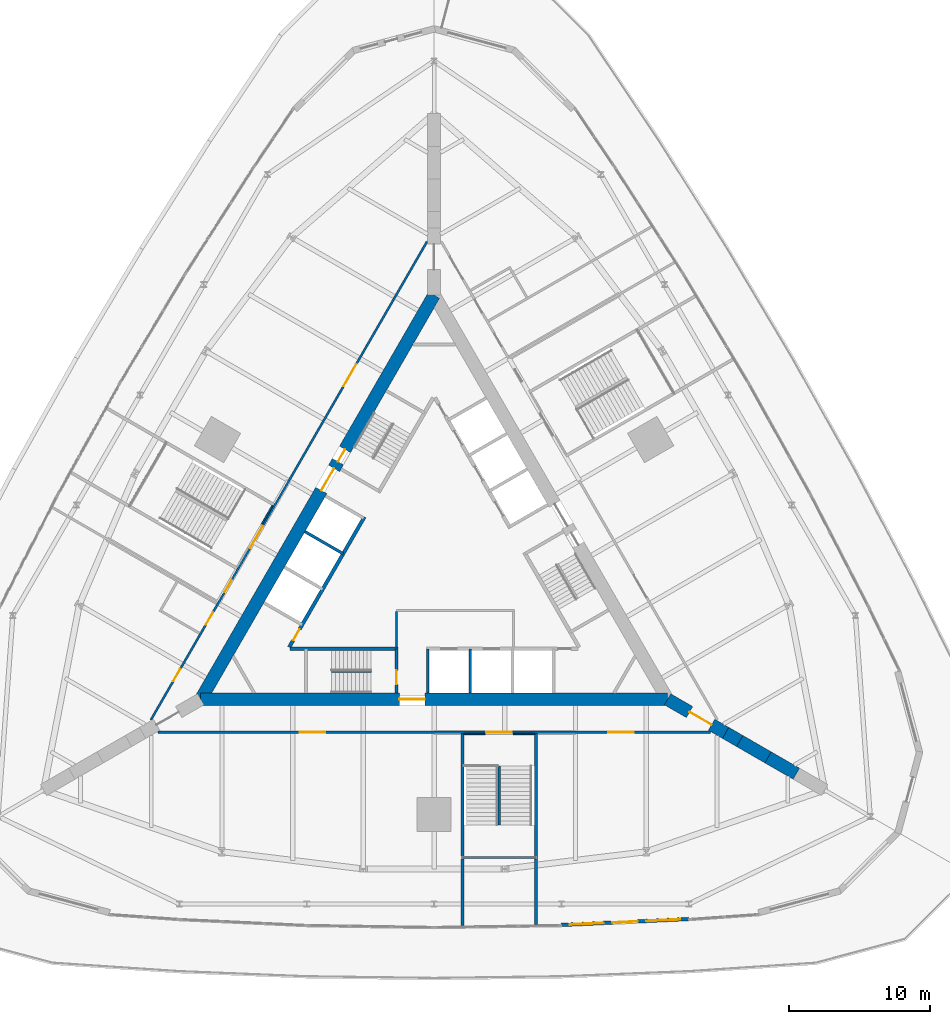
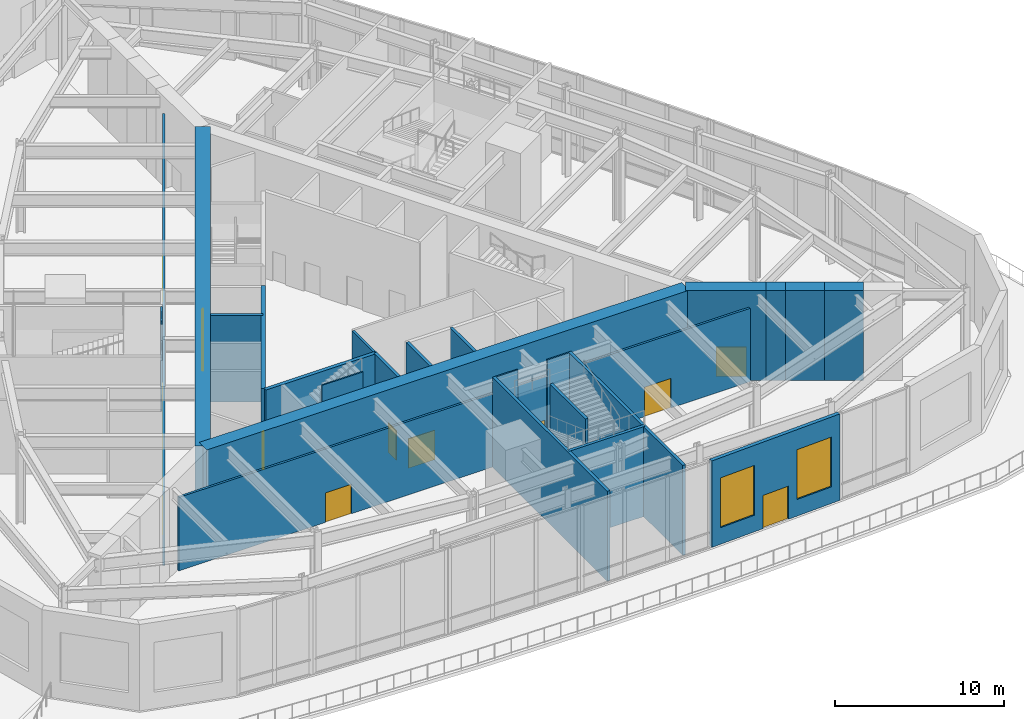
# One storey, part 12 of 19: 24 walls, 15 doors, 2 windows, 17 openings.
"""IFC4 building model written with IfcOpenShell, lengths in metres."""

from ifc_helpers import new_model, si_unit, direction, frame, frame_2d, origin, place, context, subcontext, project, spatial, rectangle, extrude, material, layer, layer_set, type_object, element, fill, save


model = new_model("IFC4")

# Units and contexts
model_context = context("Model", 3, precision=1e-05, world=origin(), true_north=direction((0.0, 1.0)))
body_context = subcontext(model_context, "Body", "Model", "MODEL_VIEW")
ifc_project = project(units=[si_unit("LENGTHUNIT", "METRE"), si_unit("AREAUNIT", "SQUARE_METRE"), si_unit("VOLUMEUNIT", "CUBIC_METRE"), si_unit("PLANEANGLEUNIT", "RADIAN"), si_unit("MASSUNIT", "GRAM", prefix="KILO")], contexts=[model_context])

# Site, building, storey
site_placement = place(None, origin())
site = spatial("IfcSite", under=ifc_project, at=site_placement, CompositionType="ELEMENT")
building_placement = place(site_placement, origin())
building = spatial("IfcBuilding", under=site, at=building_placement, Name="Trikona Tower", CompositionType="ELEMENT")
storey_placement = place(building_placement, frame((0.0, 0.0, 11.0)))
storey = spatial("IfcBuildingStorey", under=building, at=storey_placement, Name="L02", CompositionType="ELEMENT", Elevation=11.0)

# Wall, opening, door
ifc_material_1 = material(Name="Concrete f'c 10000 psi", Category="concrete")
ifc_layer_1 = layer(ifc_material_1, 0.89990234375)
ifc_layer_set_1 = layer_set([ifc_layer_1], Name="Buttress wall 900")
wall_type_1 = type_object("IfcWallType", Name="Buttress wall 900", PredefinedType="SHEAR", material=ifc_layer_set_1)
wall_1_placement = place(storey_placement, frame((16.5, -9.5263671875, 0.0), z_axis=(0.0, 0.0, 1.0), x_axis=(0.866031398331, -0.499989616998, 0.0)))
wall_1 = element("IfcWall", 1, at=wall_1_placement, inside=storey, type_object=wall_type_1, Name="Buttress wall 1", PredefinedType="SHEAR", context=body_context, shape_type="SweptSolid", body=[
    extrude(rectangle(XDim=4.74609375, YDim=0.89990234375, at=frame_2d((2.373046875, 0.0))), origin(), (0.0, 0.0, 1.0), 6.5),
])
opening_1_placement = place(wall_1_placement, frame((1.800048828125, 0.0, 0.0)))
opening_1 = element("IfcOpeningElement", 2, at=opening_1_placement, cuts=wall_1, Name="Opening D10", PredefinedType="OPENING", context=body_context, shape_type="SweptSolid", body=[
    extrude(rectangle(XDim=1.800048828125, YDim=2.1298828125, at=frame_2d((0.89990234375, 1.06494140625))), frame((0.0, 0.4599609375, 0.0), z_axis=(0.0, -1.0, 0.0), x_axis=(1.0, 0.0, 0.0)), (0.0, 0.0, 1.0), 0.919921875),
])
ifc_material_2 = material(Name="Hollow metal door and frame", Category="steel")
door_type_1 = type_object("IfcDoorType", Name="Cross-corridor door pair 1800x2130", OperationType="DOUBLE_DOOR_DOUBLE_SWING", PredefinedType="DOOR", material=ifc_material_2)
door_1_placement = place(opening_1_placement, origin())
door_1 = element("IfcDoor", 3, at=door_1_placement, inside=storey, type_object=door_type_1, Name="Cross-corridor door 1", OperationType="DOUBLE_DOOR_DOUBLE_SWING", OverallHeight=2.1298828125, OverallWidth=1.800048828125, PredefinedType="DOOR", context=body_context, shape_type="SweptSolid", body=[
    extrude(rectangle(XDim=1.800048828125, YDim=2.1298828125, at=frame_2d((0.89990234375, 1.06494140625))), frame((0.0, 0.02490234375, 0.0), z_axis=(0.0, -1.0, 0.0), x_axis=(1.0, 0.0, 0.0)), (0.0, 0.0, 1.0), 0.050048828125),
])
fill(opening_1, door_1)

# Walls
wall_2_placement = place(storey_placement, frame((20.6103515625, -11.8994140625, 0.0), z_axis=(0.0, 0.0, 1.0), x_axis=(0.866009537788, -0.500027479704, 0.0)))
element("IfcWall", 4, at=wall_2_placement, inside=storey, type_object=wall_type_1, Name="Buttress wall 1 part 2", PredefinedType="SHEAR", context=body_context, shape_type="SweptSolid", body=[
    extrude(rectangle(XDim=1.15478515625, YDim=0.89990234375, at=frame_2d((0.577392578125, 0.0))), origin(), (0.0, 0.0, 1.0), 6.5),
])
for number, where, z_axis, x_axis, name in (
    (5, (21.6103515625, -12.476806640625, 0.0), (0.0, 0.0, 1.0), (0.866055313784, -0.499948190782, 0.0), "Buttress wall 1 part 3"),
    (6, (23.6103515625, -13.63134765625, 0.0), (0.0, 0.0, 1.0), (0.866009537788, -0.500027479704, 0.0), "Buttress wall 1 part 4"),
):
    element("IfcWall", number, at=place(storey_placement, frame(where, z_axis=z_axis, x_axis=x_axis)), inside=storey, type_object=wall_type_1, Name=name, PredefinedType="SHEAR", context=body_context, shape_type="SweptSolid", body=[
        extrude(rectangle(XDim=2.309326171875, YDim=0.89990234375, at=frame_2d((1.15478515625, 0.0))), origin(), (0.0, 0.0, 1.0), 6.5),
    ])

# Wall, opening, door
ifc_material_3 = material(Name="Concrete f'c 10000 psi", Category="concrete")
ifc_layer_2 = layer(ifc_material_3, 0.89990234375)
ifc_layer_set_2 = layer_set([ifc_layer_2], Name="Core wall 900")
wall_type_2 = type_object("IfcWallType", Name="Core wall 900", PredefinedType="SHEAR", material=ifc_layer_set_2)
wall_3_placement = place(storey_placement, frame((-16.5, -9.5263671875, 0.0), z_axis=(0.0, 0.0, 1.0), x_axis=(1.0, 0.0, 0.0)))
wall_3 = element("IfcWall", 7, at=wall_3_placement, inside=storey, type_object=wall_type_2, Name="Core wall A", PredefinedType="SHEAR", context=body_context, shape_type="SweptSolid", body=[
    extrude(rectangle(XDim=33.0, YDim=0.89990234375, at=frame_2d((16.5, 0.0))), origin(), (0.0, 0.0, 1.0), 6.5),
])
opening_2_placement = place(wall_3_placement, frame((14.050048828125, 0.0, 0.0)))
opening_2 = element("IfcOpeningElement", 8, at=opening_2_placement, cuts=wall_3, Name="Opening D6", PredefinedType="OPENING", context=body_context, shape_type="SweptSolid", body=[
    extrude(rectangle(XDim=1.800048828125, YDim=2.1298828125, at=frame_2d((0.89990234375, 1.06494140625))), frame((0.0, 0.4599609375, 0.0), z_axis=(0.0, -1.0, 0.0), x_axis=(1.0, 0.0, 0.0)), (0.0, 0.0, 1.0), 0.919921875),
])
ifc_material_4 = material(Name="Hollow metal door and frame", Category="steel")
door_type_2 = type_object("IfcDoorType", Name="Lobby door pair 1800x2130", OperationType="DOUBLE_DOOR_SINGLE_SWING", PredefinedType="DOOR", material=ifc_material_4)
door_2_placement = place(opening_2_placement, origin())
door_2 = element("IfcDoor", 9, at=door_2_placement, inside=storey, type_object=door_type_2, Name="Fire service lift lobby door", OperationType="DOUBLE_DOOR_SINGLE_SWING", OverallHeight=2.1298828125, OverallWidth=1.800048828125, PredefinedType="DOOR", context=body_context, shape_type="SweptSolid", body=[
    extrude(rectangle(XDim=1.800048828125, YDim=2.1298828125, at=frame_2d((0.89990234375, 1.06494140625))), frame((0.0, 0.02490234375, 0.0), z_axis=(0.0, -1.0, 0.0), x_axis=(1.0, 0.0, 0.0)), (0.0, 0.0, 1.0), 0.050048828125),
])
fill(opening_2, door_2)

# Wall, openings, doors
wall_4_placement = place(storey_placement, frame((0.0, 19.052490234375, 0.0), z_axis=(0.0, 0.0, 1.0), x_axis=(-0.499999749417, -0.866025548458, 0.0)))
wall_4 = element("IfcWall", 10, at=wall_4_placement, inside=storey, type_object=wall_type_2, Name="Core wall C", PredefinedType="SHEAR", context=body_context, shape_type="SweptSolid", body=[
    extrude(rectangle(XDim=33.0, YDim=0.89990234375, at=frame_2d((16.5, 0.0))), origin(), (0.0, 0.0, 1.0), 6.5),
])
opening_3_placement = place(wall_4_placement, frame((14.14990234375, 0.0, 0.0)))
opening_3 = element("IfcOpeningElement", 11, at=opening_3_placement, cuts=wall_4, Name="Opening D6", PredefinedType="OPENING", context=body_context, shape_type="SweptSolid", body=[
    extrude(rectangle(XDim=1.800048828125, YDim=2.1298828125, at=frame_2d((0.89990234375, 1.06494140625))), frame((0.0, 0.4599609375, 0.0), z_axis=(0.0, -1.0, 0.0), x_axis=(1.0, 0.0, 0.0)), (0.0, 0.0, 1.0), 0.919921875),
])
opening_4_placement = place(wall_4_placement, frame((12.60009765625, 0.0, 0.0)))
opening_4 = element("IfcOpeningElement", 12, at=opening_4_placement, cuts=wall_4, Name="Opening D5", PredefinedType="OPENING", context=body_context, shape_type="SweptSolid", body=[
    extrude(rectangle(XDim=1.0, YDim=2.1298828125, at=frame_2d((0.5, 1.06494140625))), frame((0.0, 0.4599609375, 0.0), z_axis=(0.0, -1.0, 0.0), x_axis=(1.0, 0.0, 0.0)), (0.0, 0.0, 1.0), 0.919921875),
])
door_3_placement = place(opening_3_placement, origin())
door_3 = element("IfcDoor", 13, at=door_3_placement, inside=storey, type_object=door_type_2, Name="Lift lobby door C", OperationType="DOUBLE_DOOR_SINGLE_SWING", OverallHeight=2.1298828125, OverallWidth=1.800048828125, PredefinedType="DOOR", context=body_context, shape_type="SweptSolid", body=[
    extrude(rectangle(XDim=1.800048828125, YDim=2.1298828125, at=frame_2d((0.89990234375, 1.06494140625))), frame((0.0, 0.02490234375, 0.0), z_axis=(0.0, -1.0, 0.0), x_axis=(1.0, 0.0, 0.0)), (0.0, 0.0, 1.0), 0.050048828125),
])
fill(opening_3, door_3)
ifc_material_5 = material(Name="Hollow metal door and frame", Category="steel")
door_type_3 = type_object("IfcDoorType", Name="Stair door 1000x2130", OperationType="SINGLE_SWING_LEFT", PredefinedType="DOOR", material=ifc_material_5)
door_4_placement = place(opening_4_placement, origin())
door_4 = element("IfcDoor", 14, at=door_4_placement, inside=storey, type_object=door_type_3, Name="Stair C door", OperationType="SINGLE_SWING_RIGHT", OverallHeight=2.1298828125, OverallWidth=1.0, PredefinedType="DOOR", context=body_context, shape_type="SweptSolid", body=[
    extrude(rectangle(XDim=1.0, YDim=2.1298828125, at=frame_2d((0.5, 1.06494140625))), frame((0.0, 0.02490234375, 0.0), z_axis=(0.0, -1.0, 0.0), x_axis=(1.0, 0.0, 0.0)), (0.0, 0.0, 1.0), 0.050048828125),
])
fill(opening_4, door_4)

ifc_material_6 = material(Name="Metal stud and gypsum board, 1-hour", Category="gypsum")
ifc_layer_3 = layer(ifc_material_6, 0.14990234375)
ifc_layer_set_3 = layer_set([ifc_layer_3], Name="Corridor wall 150")
wall_type_3 = type_object("IfcWallType", Name="Corridor wall 150", PredefinedType="PARTITIONING", material=ifc_layer_set_3)
wall_5_placement = place(storey_placement, frame((-19.527099609375, -11.851318359375, 0.0), z_axis=(0.0, 0.0, 1.0), x_axis=(1.0, 0.0, 0.0)))
wall_5 = element("IfcWall", 15, at=wall_5_placement, inside=storey, type_object=wall_type_3, Name="Corridor wall L02-1", PredefinedType="PARTITIONING", context=body_context, shape_type="SweptSolid", body=[
    extrude(rectangle(XDim=39.05419921875, YDim=0.14990234375, at=frame_2d((19.527099609375, 0.0))), origin(), (0.0, 0.0, 1.0), 5.3076171875),
])
opening_5_placement = place(wall_5_placement, frame((10.013427734375, 0.0, 0.0)))
opening_5 = element("IfcOpeningElement", 16, at=opening_5_placement, cuts=wall_5, Name="Opening D4", PredefinedType="OPENING", context=body_context, shape_type="SweptSolid", body=[
    extrude(rectangle(XDim=1.800048828125, YDim=2.1298828125, at=frame_2d((0.89990234375, 1.06494140625))), frame((0.0, 0.0849609375, 0.0), z_axis=(0.0, -1.0, 0.0), x_axis=(1.0, 0.0, 0.0)), (0.0, 0.0, 1.0), 0.169921875),
])
opening_6_placement = place(wall_5_placement, frame((23.22705078125, 0.0, 0.0)))
opening_6 = element("IfcOpeningElement", 17, at=opening_6_placement, cuts=wall_5, Name="Opening D11", PredefinedType="OPENING", context=body_context, shape_type="SweptSolid", body=[
    extrude(rectangle(XDim=1.800048828125, YDim=2.1298828125, at=frame_2d((0.89990234375, 1.06494140625))), frame((0.0, 0.0849609375, 0.0), z_axis=(0.0, -1.0, 0.0), x_axis=(1.0, 0.0, 0.0)), (0.0, 0.0, 1.0), 0.169921875),
])
opening_7_placement = place(wall_5_placement, frame((31.840576171875, 0.0, 0.0)))
opening_7 = element("IfcOpeningElement", 18, at=opening_7_placement, cuts=wall_5, Name="Opening D4", PredefinedType="OPENING", context=body_context, shape_type="SweptSolid", body=[
    extrude(rectangle(XDim=1.800048828125, YDim=2.1298828125, at=frame_2d((0.89990234375, 1.06494140625))), frame((0.0, 0.0849609375, 0.0), z_axis=(0.0, -1.0, 0.0), x_axis=(1.0, 0.0, 0.0)), (0.0, 0.0, 1.0), 0.169921875),
])
ifc_material_7 = material(Name="Steel door frame with solid-core timber leaf", Category="steel")
door_type_4 = type_object("IfcDoorType", Name="Assembly door pair 1800x2130", OperationType="DOUBLE_DOOR_SINGLE_SWING", PredefinedType="DOOR", material=ifc_material_7)
door_5_placement = place(opening_5_placement, origin())
door_5 = element("IfcDoor", 19, at=door_5_placement, inside=storey, type_object=door_type_4, Name="Door Ballroom", OperationType="DOUBLE_DOOR_SINGLE_SWING", OverallHeight=2.1298828125, OverallWidth=1.800048828125, PredefinedType="DOOR", context=body_context, shape_type="SweptSolid", body=[
    extrude(rectangle(XDim=1.800048828125, YDim=2.1298828125, at=frame_2d((0.89990234375, 1.06494140625))), frame((0.0, 0.02490234375, 0.0), z_axis=(0.0, -1.0, 0.0), x_axis=(1.0, 0.0, 0.0)), (0.0, 0.0, 1.0), 0.050048828125),
])
fill(opening_5, door_5)
door_6_placement = place(opening_7_placement, origin())
door_6 = element("IfcDoor", 20, at=door_6_placement, inside=storey, type_object=door_type_4, Name="Door Prefunction foyer", OperationType="DOUBLE_DOOR_SINGLE_SWING", OverallHeight=2.1298828125, OverallWidth=1.800048828125, PredefinedType="DOOR", context=body_context, shape_type="SweptSolid", body=[
    extrude(rectangle(XDim=1.800048828125, YDim=2.1298828125, at=frame_2d((0.89990234375, 1.06494140625))), frame((0.0, 0.02490234375, 0.0), z_axis=(0.0, -1.0, 0.0), x_axis=(1.0, 0.0, 0.0)), (0.0, 0.0, 1.0), 0.050048828125),
])
fill(opening_7, door_6)
ifc_material_8 = material(Name="Hollow metal door and frame", Category="steel")
door_type_5 = type_object("IfcDoorType", Name="Podium stair door 1800x2130", OperationType="DOUBLE_DOOR_SINGLE_SWING", PredefinedType="DOOR", material=ifc_material_8)
door_7_placement = place(opening_6_placement, origin())
door_7 = element("IfcDoor", 21, at=door_7_placement, inside=storey, type_object=door_type_5, Name="Stair door Podium stair PS1", OperationType="DOUBLE_DOOR_SINGLE_SWING", OverallHeight=2.1298828125, OverallWidth=1.800048828125, PredefinedType="DOOR", context=body_context, shape_type="SweptSolid", body=[
    extrude(rectangle(XDim=1.800048828125, YDim=2.1298828125, at=frame_2d((0.89990234375, 1.06494140625))), frame((0.0, 0.02490234375, 0.0), z_axis=(0.0, -1.0, 0.0), x_axis=(1.0, 0.0, 0.0)), (0.0, 0.0, 1.0), 0.050048828125),
])
fill(opening_6, door_7)

wall_6_placement = place(storey_placement, frame((-0.5, 22.83642578125, 0.0), z_axis=(0.0, 0.0, 1.0), x_axis=(-0.500001677587, -0.866024435227, 0.0)))
wall_6 = element("IfcWall", 22, at=wall_6_placement, inside=storey, type_object=wall_type_3, Name="Corridor wall L02-3", PredefinedType="PARTITIONING", context=body_context, shape_type="SweptSolid", body=[
    extrude(rectangle(XDim=39.053955078125, YDim=0.14990234375, at=frame_2d((19.52685546875, 0.0))), origin(), (0.0, 0.0, 1.0), 5.3076171875),
])
opening_8_placement = place(wall_6_placement, frame((10.013427734375, 0.0, 0.0)))
opening_8 = element("IfcOpeningElement", 23, at=opening_8_placement, cuts=wall_6, Name="Opening D4", PredefinedType="OPENING", context=body_context, shape_type="SweptSolid", body=[
    extrude(rectangle(XDim=1.800048828125, YDim=2.1298828125, at=frame_2d((0.89990234375, 1.06494140625))), frame((0.0, 0.0849609375, 0.0), z_axis=(0.0, -1.0, 0.0), x_axis=(1.0, 0.0, 0.0)), (0.0, 0.0, 1.0), 0.169921875),
])
opening_9_placement = place(wall_6_placement, frame((23.22705078125, 0.0, 0.0)))
opening_9 = element("IfcOpeningElement", 24, at=opening_9_placement, cuts=wall_6, Name="Opening D11", PredefinedType="OPENING", context=body_context, shape_type="SweptSolid", body=[
    extrude(rectangle(XDim=1.800048828125, YDim=2.1298828125, at=frame_2d((0.89990234375, 1.06494140625))), frame((0.0, 0.0849609375, 0.0), z_axis=(0.0, -1.0, 0.0), x_axis=(1.0, 0.0, 0.0)), (0.0, 0.0, 1.0), 0.169921875),
])
opening_10_placement = place(wall_6_placement, frame((27.626953125, 0.0, 0.0)))
opening_10 = element("IfcOpeningElement", 25, at=opening_10_placement, cuts=wall_6, Name="Opening D3", PredefinedType="OPENING", context=body_context, shape_type="SweptSolid", body=[
    extrude(rectangle(XDim=1.0, YDim=2.1298828125, at=frame_2d((0.5, 1.06494140625))), frame((0.0, 0.0849609375, 0.0), z_axis=(0.0, -1.0, 0.0), x_axis=(1.0, 0.0, 0.0)), (0.0, 0.0, 1.0), 0.169921875),
])
opening_11_placement = place(wall_6_placement, frame((30.277099609375, 0.0, 0.0)))
opening_11 = element("IfcOpeningElement", 26, at=opening_11_placement, cuts=wall_6, Name="Opening D3", PredefinedType="OPENING", context=body_context, shape_type="SweptSolid", body=[
    extrude(rectangle(XDim=1.0, YDim=2.1298828125, at=frame_2d((0.5, 1.06494140625))), frame((0.0, 0.0849609375, 0.0), z_axis=(0.0, -1.0, 0.0), x_axis=(1.0, 0.0, 0.0)), (0.0, 0.0, 1.0), 0.169921875),
])
opening_12_placement = place(wall_6_placement, frame((34.890380859375, 0.0, 0.0)))
opening_12 = element("IfcOpeningElement", 27, at=opening_12_placement, cuts=wall_6, Name="Opening D3", PredefinedType="OPENING", context=body_context, shape_type="SweptSolid", body=[
    extrude(rectangle(XDim=1.0, YDim=2.1298828125, at=frame_2d((0.5, 1.06494140625))), frame((0.0, 0.0849609375, 0.0), z_axis=(0.0, -1.0, 0.0), x_axis=(1.0, 0.0, 0.0)), (0.0, 0.0, 1.0), 0.169921875),
])
door_8_placement = place(opening_8_placement, origin())
door_8 = element("IfcDoor", 28, at=door_8_placement, inside=storey, type_object=door_type_4, Name="Door Banquet back of house", OperationType="DOUBLE_DOOR_SINGLE_SWING", OverallHeight=2.1298828125, OverallWidth=1.800048828125, PredefinedType="DOOR", context=body_context, shape_type="SweptSolid", body=[
    extrude(rectangle(XDim=1.800048828125, YDim=2.1298828125, at=frame_2d((0.89990234375, 1.06494140625))), frame((0.0, 0.02490234375, 0.0), z_axis=(0.0, -1.0, 0.0), x_axis=(1.0, 0.0, 0.0)), (0.0, 0.0, 1.0), 0.050048828125),
])
fill(opening_8, door_8)
door_9_placement = place(opening_9_placement, origin())
door_9 = element("IfcDoor", 29, at=door_9_placement, inside=storey, type_object=door_type_5, Name="Stair door Podium stair PS3", OperationType="DOUBLE_DOOR_SINGLE_SWING", OverallHeight=2.1298828125, OverallWidth=1.800048828125, PredefinedType="DOOR", context=body_context, shape_type="SweptSolid", body=[
    extrude(rectangle(XDim=1.800048828125, YDim=2.1298828125, at=frame_2d((0.89990234375, 1.06494140625))), frame((0.0, 0.02490234375, 0.0), z_axis=(0.0, -1.0, 0.0), x_axis=(1.0, 0.0, 0.0)), (0.0, 0.0, 1.0), 0.050048828125),
])
fill(opening_9, door_9)
ifc_material_9 = material(Name="Steel door frame with solid-core timber leaf", Category="steel")
door_type_6 = type_object("IfcDoorType", Name="Room door 1000x2130", OperationType="SINGLE_SWING_LEFT", PredefinedType="DOOR", material=ifc_material_9)
door_10_placement = place(opening_10_placement, origin())
door_10 = element("IfcDoor", 30, at=door_10_placement, inside=storey, type_object=door_type_6, Name="Door Staff toilets", OperationType="SINGLE_SWING_LEFT", OverallHeight=2.1298828125, OverallWidth=1.0, PredefinedType="DOOR", context=body_context, shape_type="SweptSolid", body=[
    extrude(rectangle(XDim=1.0, YDim=2.1298828125, at=frame_2d((0.5, 1.06494140625))), frame((0.0, 0.02490234375, 0.0), z_axis=(0.0, -1.0, 0.0), x_axis=(1.0, 0.0, 0.0)), (0.0, 0.0, 1.0), 0.050048828125),
])
fill(opening_10, door_10)
door_11_placement = place(opening_11_placement, origin())
door_11 = element("IfcDoor", 31, at=door_11_placement, inside=storey, type_object=door_type_6, Name="Door Staff accessible WC", OperationType="SINGLE_SWING_RIGHT", OverallHeight=2.1298828125, OverallWidth=1.0, PredefinedType="DOOR", context=body_context, shape_type="SweptSolid", body=[
    extrude(rectangle(XDim=1.0, YDim=2.1298828125, at=frame_2d((0.5, 1.06494140625))), frame((0.0, 0.02490234375, 0.0), z_axis=(0.0, -1.0, 0.0), x_axis=(1.0, 0.0, 0.0)), (0.0, 0.0, 1.0), 0.050048828125),
])
fill(opening_11, door_11)
door_12_placement = place(opening_12_placement, origin())
door_12 = element("IfcDoor", 32, at=door_12_placement, inside=storey, type_object=door_type_6, Name="Door Banquet store", OperationType="SINGLE_SWING_RIGHT", OverallHeight=2.1298828125, OverallWidth=1.0, PredefinedType="DOOR", context=body_context, shape_type="SweptSolid", body=[
    extrude(rectangle(XDim=1.0, YDim=2.1298828125, at=frame_2d((0.5, 1.06494140625))), frame((0.0, 0.02490234375, 0.0), z_axis=(0.0, -1.0, 0.0), x_axis=(1.0, 0.0, 0.0)), (0.0, 0.0, 1.0), 0.050048828125),
])
fill(opening_12, door_12)

# Wall
ifc_material_10 = material(Name="Concrete f'c 8000 psi", Category="concrete")
ifc_layer_4 = layer(ifc_material_10, 0.25)
ifc_layer_set_4 = layer_set([ifc_layer_4], Name="Hub wall 250")
wall_type_4 = type_object("IfcWallType", Name="Hub wall 250", PredefinedType="SOLIDWALL", material=ifc_layer_set_4)
wall_7_placement = place(storey_placement, frame((-10.182861328125, -5.951416015625, 0.0), z_axis=(0.0, 0.0, 1.0), x_axis=(1.0, 0.0, 0.0)))
element("IfcWall", 33, at=wall_7_placement, inside=storey, type_object=wall_type_4, Name="Lift lobby wall A1", PredefinedType="SOLIDWALL", context=body_context, shape_type="SweptSolid", body=[
    extrude(rectangle(XDim=7.6328125, YDim=0.25, at=frame_2d((3.81640625, 0.0))), origin(), (0.0, 0.0, 1.0), 6.25),
])

# Wall, opening, door
wall_8_placement = place(storey_placement, frame((-4.928955078125, 3.365478515625, 0.0), z_axis=(0.0, 0.0, 1.0), x_axis=(-0.499991433582, -0.866030349552, 0.0)))
wall_8 = element("IfcWall", 34, at=wall_8_placement, inside=storey, type_object=wall_type_4, Name="Lift lobby wall C2", PredefinedType="SOLIDWALL", context=body_context, shape_type="SweptSolid", body=[
    extrude(rectangle(XDim=10.633056640625, YDim=0.25, at=frame_2d((5.31640625, 0.0))), origin(), (0.0, 0.0, 1.0), 6.25),
])
opening_13_placement = place(wall_8_placement, frame((9.1640625, 0.0, 0.0)))
opening_13 = element("IfcOpeningElement", 35, at=opening_13_placement, cuts=wall_8, Name="Opening D14", PredefinedType="OPENING", context=body_context, shape_type="SweptSolid", body=[
    extrude(rectangle(XDim=0.89990234375, YDim=2.1298828125, at=frame_2d((0.449951171875, 1.06494140625))), frame((0.0, 0.135009765625, 0.0), z_axis=(0.0, -1.0, 0.0), x_axis=(1.0, 0.0, 0.0)), (0.0, 0.0, 1.0), 0.27001953125),
])
ifc_material_11 = material(Name="Hollow metal door and frame", Category="steel")
door_type_7 = type_object("IfcDoorType", Name="Service room door 900x2130", OperationType="SINGLE_SWING_LEFT", PredefinedType="DOOR", material=ifc_material_11)
door_13_placement = place(opening_13_placement, origin())
door_13 = element("IfcDoor", 36, at=door_13_placement, inside=storey, type_object=door_type_7, Name="Door Electrical room ELR", OperationType="SINGLE_SWING_RIGHT", OverallHeight=2.1298828125, OverallWidth=0.89990234375, PredefinedType="DOOR", context=body_context, shape_type="SweptSolid", body=[
    extrude(rectangle(XDim=0.89990234375, YDim=2.1298828125, at=frame_2d((0.449951171875, 1.06494140625))), frame((0.0, 0.02490234375, 0.0), z_axis=(0.0, -1.0, 0.0), x_axis=(1.0, 0.0, 0.0)), (0.0, 0.0, 1.0), 0.050048828125),
])
fill(opening_13, door_13)

# Wall, openings, door, windows
ifc_material_12 = material(Name="Insulated precast concrete spandrel panel", Category="concrete")
ifc_layer_5 = layer(ifc_material_12, 0.25)
ifc_layer_set_5 = layer_set([ifc_layer_5], Name="Inner skin wall 250")
wall_type_5 = type_object("IfcWallType", Name="Inner skin wall 250", PredefinedType="STANDARD", material=ifc_layer_set_5)
wall_9_placement = place(storey_placement, frame((8.994140625, -25.480224609375, 0.0), z_axis=(0.0, 0.0, 1.0), x_axis=(0.998899368932, 0.046904698557, 0.0)))
wall_9 = element("IfcWall", 37, at=wall_9_placement, inside=storey, type_object=wall_type_5, Name="External wall L02-04", PredefinedType="STANDARD", context=body_context, shape_type="SweptSolid", body=[
    extrude(rectangle(XDim=9.010009765625, YDim=0.25, at=frame_2d((4.5048828125, 0.0))), origin(), (0.0, 0.0, 1.0), 6.25),
])
opening_14_placement = place(wall_9_placement, frame((3.60498046875, 0.0, 0.0)))
opening_14 = element("IfcOpeningElement", 38, at=opening_14_placement, cuts=wall_9, Name="Opening D8", PredefinedType="OPENING", context=body_context, shape_type="SweptSolid", body=[
    extrude(rectangle(XDim=1.800048828125, YDim=2.39990234375, at=frame_2d((0.89990234375, 1.199951171875))), frame((0.0, 0.135009765625, 0.0), z_axis=(0.0, -1.0, 0.0), x_axis=(1.0, 0.0, 0.0)), (0.0, 0.0, 1.0), 0.27001953125),
])
opening_15_placement = place(wall_9_placement, frame((0.6025390625, 0.0, 1.199951171875)))
opening_15 = element("IfcOpeningElement", 39, at=opening_15_placement, cuts=wall_9, Name="Opening W2436", PredefinedType="OPENING", context=body_context, shape_type="SweptSolid", body=[
    extrude(rectangle(XDim=2.39990234375, YDim=3.60009765625, at=frame_2d((1.199951171875, 1.800048828125))), frame((0.0, 0.135009765625, 0.0), z_axis=(0.0, -1.0, 0.0), x_axis=(1.0, 0.0, 0.0)), (0.0, 0.0, 1.0), 0.27001953125),
])
opening_16_placement = place(wall_9_placement, frame((6.00732421875, 0.0, 1.199951171875)))
opening_16 = element("IfcOpeningElement", 40, at=opening_16_placement, cuts=wall_9, Name="Opening W2436", PredefinedType="OPENING", context=body_context, shape_type="SweptSolid", body=[
    extrude(rectangle(XDim=2.39990234375, YDim=3.60009765625, at=frame_2d((1.199951171875, 1.800048828125))), frame((0.0, 0.135009765625, 0.0), z_axis=(0.0, -1.0, 0.0), x_axis=(1.0, 0.0, 0.0)), (0.0, 0.0, 1.0), 0.27001953125),
])
ifc_material_13 = material(Name="Aluminium-framed glazed door", Category="aluminium")
door_type_8 = type_object("IfcDoorType", Name="Terrace door pair 1800x2400", OperationType="DOUBLE_DOOR_SINGLE_SWING", PredefinedType="DOOR", material=ifc_material_13)
door_14_placement = place(opening_14_placement, origin())
door_14 = element("IfcDoor", 41, at=door_14_placement, inside=storey, type_object=door_type_8, Name="Terrace door Prefunction foyer", OperationType="DOUBLE_DOOR_SINGLE_SWING", OverallHeight=2.39990234375, OverallWidth=1.800048828125, PredefinedType="DOOR", context=body_context, shape_type="SweptSolid", body=[
    extrude(rectangle(XDim=1.800048828125, YDim=2.39990234375, at=frame_2d((0.89990234375, 1.199951171875))), frame((0.0, 0.02490234375, 0.0), z_axis=(0.0, -1.0, 0.0), x_axis=(1.0, 0.0, 0.0)), (0.0, 0.0, 1.0), 0.050048828125),
])
fill(opening_14, door_14)
ifc_material_14 = material(Name="Aluminium-framed double glazing", Category="aluminium")
window_type = type_object("IfcWindowType", Name="Window 2400x3600", PartitioningType="SINGLE_PANEL", PredefinedType="WINDOW", material=ifc_material_14)
window_1_placement = place(opening_15_placement, origin())
window_1 = element("IfcWindow", 42, at=window_1_placement, inside=storey, type_object=window_type, Name="Window L02-PRE", OverallHeight=3.60009765625, OverallWidth=2.39990234375, PartitioningType="SINGLE_PANEL", PredefinedType="WINDOW", context=body_context, shape_type="SweptSolid", body=[
    extrude(rectangle(XDim=2.39990234375, YDim=3.60009765625, at=frame_2d((1.199951171875, 1.800048828125))), frame((0.0, 0.030029296875, 0.0), z_axis=(0.0, -1.0, 0.0), x_axis=(1.0, 0.0, 0.0)), (0.0, 0.0, 1.0), 0.06005859375),
])
fill(opening_15, window_1)
window_2_placement = place(opening_16_placement, origin())
window_2 = element("IfcWindow", 43, at=window_2_placement, inside=storey, type_object=window_type, Name="Window L02-PRE", OverallHeight=3.60009765625, OverallWidth=2.39990234375, PartitioningType="SINGLE_PANEL", PredefinedType="WINDOW", context=body_context, shape_type="SweptSolid", body=[
    extrude(rectangle(XDim=2.39990234375, YDim=3.60009765625, at=frame_2d((1.199951171875, 1.800048828125))), frame((0.0, 0.030029296875, 0.0), z_axis=(0.0, -1.0, 0.0), x_axis=(1.0, 0.0, 0.0)), (0.0, 0.0, 1.0), 0.06005859375),
])
fill(opening_16, window_2)

# Walls
ifc_material_15 = material(Name="Metal stud and gypsum board, 2-hour shaft wall", Category="gypsum")
ifc_layer_6 = layer(ifc_material_15, 0.14990234375)
ifc_layer_set_6 = layer_set([ifc_layer_6], Name="Lobby wall 150")
wall_type_6 = type_object("IfcWallType", Name="Lobby wall 150", PredefinedType="PARTITIONING", material=ifc_layer_set_6)
wall_10_placement = place(storey_placement, frame((-2.64990234375, -5.826416015625, 0.0), z_axis=(0.0, 0.0, 1.0), x_axis=(0.0, 1.0, 0.0)))
element("IfcWall", 44, at=wall_10_placement, inside=storey, type_object=wall_type_6, Name="Fire service lift lobby wall 2", PredefinedType="PARTITIONING", context=body_context, shape_type="SweptSolid", body=[
    extrude(rectangle(XDim=2.5, YDim=0.14990234375, at=frame_2d((1.25, 0.0))), origin(), (0.0, 0.0, 1.0), 6.25),
])
ifc_material_16 = material(Name="Concrete f'c 8000 psi", Category="concrete")
ifc_layer_7 = layer(ifc_material_16, 0.199951171875)
ifc_layer_set_7 = layer_set([ifc_layer_7], Name="Shaft wall 200")
wall_type_7 = type_object("IfcWallType", Name="Shaft wall 200", PredefinedType="SOLIDWALL", material=ifc_layer_set_7)
for number, where, z_axis, x_axis, name in (
    (45, (-0.449951171875, -5.951416015625, 0.0), (0.0, 0.0, 1.0), (0.0, -1.0, 0.0), "Shaft wall A3"),
    (46, (2.550048828125, -5.951416015625, 0.0), (0.0, 0.0, 1.0), (0.0, -1.0, 0.0), "Shaft wall A4"),
    (47, (-6.428955078125, 0.767333984375, 0.0), (0.0, 0.0, 1.0), (-0.866022959057, 0.500004234368, 0.0), "Shaft wall C4"),
):
    element("IfcWall", number, at=place(storey_placement, frame(where, z_axis=z_axis, x_axis=x_axis)), inside=storey, type_object=wall_type_7, Name=name, PredefinedType="SOLIDWALL", context=body_context, shape_type="SweptSolid", body=[
        extrude(rectangle(XDim=3.125, YDim=0.199951171875, at=frame_2d((1.5625, 0.0))), origin(), (0.0, 0.0, 1.0), 6.25),
    ])

# Wall, opening, door
ifc_material_17 = material(Name="Concrete f'c 8000 psi", Category="concrete")
ifc_layer_8 = layer(ifc_material_17, 0.199951171875)
ifc_layer_set_8 = layer_set([ifc_layer_8], Name="Shaft wall 200 load-bearing")
wall_type_8 = type_object("IfcWallType", Name="Shaft wall 200 load-bearing", PredefinedType="SOLIDWALL", material=ifc_layer_set_8)
wall_11_placement = place(storey_placement, frame((-2.64990234375, -5.951416015625, 0.0), z_axis=(0.0, 0.0, 1.0), x_axis=(0.0, -1.0, 0.0)))
wall_11 = element("IfcWall", 48, at=wall_11_placement, inside=storey, type_object=wall_type_8, Name="Shaft wall A2", PredefinedType="SOLIDWALL", context=body_context, shape_type="SweptSolid", body=[
    extrude(rectangle(XDim=3.125, YDim=0.199951171875, at=frame_2d((1.5625, 0.0))), origin(), (0.0, 0.0, 1.0), 6.25),
])
opening_17_placement = place(wall_11_placement, frame((1.52490234375, 0.0, 0.0)))
opening_17 = element("IfcOpeningElement", 49, at=opening_17_placement, cuts=wall_11, Name="Opening D5", PredefinedType="OPENING", context=body_context, shape_type="SweptSolid", body=[
    extrude(rectangle(XDim=1.0, YDim=2.1298828125, at=frame_2d((0.5, 1.06494140625))), frame((0.0, 0.10986328125, 0.0), z_axis=(0.0, -1.0, 0.0), x_axis=(1.0, 0.0, 0.0)), (0.0, 0.0, 1.0), 0.219970703125),
])
door_15_placement = place(opening_17_placement, origin())
door_15 = element("IfcDoor", 50, at=door_15_placement, inside=storey, type_object=door_type_3, Name="Stair A door", OperationType="SINGLE_SWING_RIGHT", OverallHeight=2.1298828125, OverallWidth=1.0, PredefinedType="DOOR", context=body_context, shape_type="SweptSolid", body=[
    extrude(rectangle(XDim=1.0, YDim=2.1298828125, at=frame_2d((0.5, 1.06494140625))), frame((0.0, 0.02490234375, 0.0), z_axis=(0.0, -1.0, 0.0), x_axis=(1.0, 0.0, 0.0)), (0.0, 0.0, 1.0), 0.050048828125),
])
fill(opening_17, door_15)

# Walls
ifc_material_18 = material(Name="Concrete f'c 6000 psi", Category="concrete")
ifc_layer_9 = layer(ifc_material_18, 0.10009765625)
ifc_layer_set_9 = layer_set([ifc_layer_9], Name="Stair enclosure wall 100")
wall_type_9 = type_object("IfcWallType", Name="Stair enclosure wall 100", PredefinedType="SOLIDWALL", material=ifc_layer_set_9)
for number, where, z_axis, x_axis, name in (
    (51, (2.10009765625, -11.976318359375, 0.0), (0.0, 0.0, 1.0), (1.0, 0.0, 0.0), "Podium stair PS1 end pier 1 L02"),
    (52, (5.60009765625, -11.976318359375, 0.0), (0.0, 0.0, 1.0), (1.0, 0.0, 0.0), "Podium stair PS1 end pier 2 L02"),
    (53, (-11.421875, 4.16943359375, 0.0), (0.0, 0.0, 1.0), (-0.499990139034, -0.866031096941, 0.0), "Podium stair PS3 end pier 1 L02"),
):
    element("IfcWall", number, at=place(storey_placement, frame(where, z_axis=z_axis, x_axis=x_axis)), inside=storey, type_object=wall_type_9, Name=name, PredefinedType="SOLIDWALL", context=body_context, shape_type="SweptSolid", body=[
        extrude(rectangle(XDim=1.5, YDim=0.10009765625, at=frame_2d((0.75, 0.0))), origin(), (0.0, 0.0, 1.0), 6.5),
    ])
ifc_material_19 = material(Name="Concrete f'c 6000 psi", Category="concrete")
ifc_layer_10 = layer(ifc_material_19, 0.199951171875)
ifc_layer_set_10 = layer_set([ifc_layer_10], Name="Stair enclosure wall 200")
wall_type_10 = type_object("IfcWallType", Name="Stair enclosure wall 200", PredefinedType="SHEAR", material=ifc_layer_set_10)
wall_12_placement = place(storey_placement, frame((2.0, -11.92626953125, 0.0), z_axis=(0.0, 0.0, 1.0), x_axis=(0.0, -1.0, 0.0)))
element("IfcWall", 54, at=wall_12_placement, inside=storey, type_object=wall_type_10, Name="Stair enclosure L02 F1 u2", PredefinedType="SHEAR", context=body_context, shape_type="SweptSolid", body=[
    extrude(rectangle(XDim=13.607421875, YDim=0.199951171875, at=frame_2d((6.8037109375, 0.0))), origin(), (0.0, 0.0, 1.0), 6.5),
])
wall_13_placement = place(storey_placement, frame((7.199951171875, -11.92626953125, 0.0), z_axis=(0.0, 0.0, 1.0), x_axis=(0.0, -1.0, 0.0)))
element("IfcWall", 55, at=wall_13_placement, inside=storey, type_object=wall_type_10, Name="Stair enclosure L02 F1 u7.2", PredefinedType="SHEAR", context=body_context, shape_type="SweptSolid", body=[
    extrude(rectangle(XDim=13.526123046875, YDim=0.199951171875, at=frame_2d((6.76318359375, 0.0))), origin(), (0.0, 0.0, 1.0), 6.5),
])
wall_14_placement = place(storey_placement, frame((2.0, -20.726318359375, 0.0), z_axis=(0.0, 0.0, 1.0), x_axis=(1.0, 0.0, 0.0)))
element("IfcWall", 56, at=wall_14_placement, inside=storey, type_object=wall_type_10, Name="Podium stair PS1 end wall", PredefinedType="SHEAR", context=body_context, shape_type="SweptSolid", body=[
    extrude(rectangle(XDim=5.199951171875, YDim=0.199951171875, at=frame_2d((2.60009765625, 0.0))), origin(), (0.0, 0.0, 1.0), 6.5),
])
ifc_material_20 = material(Name="Concrete f'c 5000 psi", Category="concrete")
ifc_layer_11 = layer(ifc_material_20, 0.10009765625)
ifc_layer_set_11 = layer_set([ifc_layer_11], Name="Stair spine wall 100")
wall_type_11 = type_object("IfcWallType", Name="Stair spine wall 100", PredefinedType="SOLIDWALL", material=ifc_layer_set_11)
wall_15_placement = place(storey_placement, frame((-7.2470703125, -7.576416015625, 0.0), z_axis=(0.0, 0.0, 1.0), x_axis=(1.0, 0.0, 0.0)))
element("IfcWall", 57, at=wall_15_placement, inside=storey, type_object=wall_type_11, Name="Stair A spine wall L02", PredefinedType="SOLIDWALL", context=body_context, shape_type="SweptSolid", body=[
    extrude(rectangle(XDim=2.794189453125, YDim=0.10009765625, at=frame_2d((1.39697265625, 0.0))), origin(), (0.0, 0.0, 1.0), 6.5),
])
ifc_material_21 = material(Name="Concrete f'c 5000 psi", Category="concrete")
ifc_layer_12 = layer(ifc_material_21, 0.2001953125)
ifc_layer_set_12 = layer_set([ifc_layer_12], Name="Stair spine wall 200")
wall_type_12 = type_object("IfcWallType", Name="Stair spine wall 200", PredefinedType="SOLIDWALL", material=ifc_layer_set_12)
wall_16_placement = place(storey_placement, frame((4.60009765625, -14.229248046875, 0.0), z_axis=(0.0, 0.0, 1.0), x_axis=(0.0, -1.0, 0.0)))
element("IfcWall", 58, at=wall_16_placement, inside=storey, type_object=wall_type_12, Name="Podium stair PS1 spine wall L02", PredefinedType="SOLIDWALL", context=body_context, shape_type="SweptSolid", body=[
    extrude(rectangle(XDim=4.194091796875, YDim=0.199951171875, at=frame_2d((2.09716796875, 0.0))), origin(), (0.0, 0.0, 1.0), 6.5),
])

save(model, "model.ifc")
